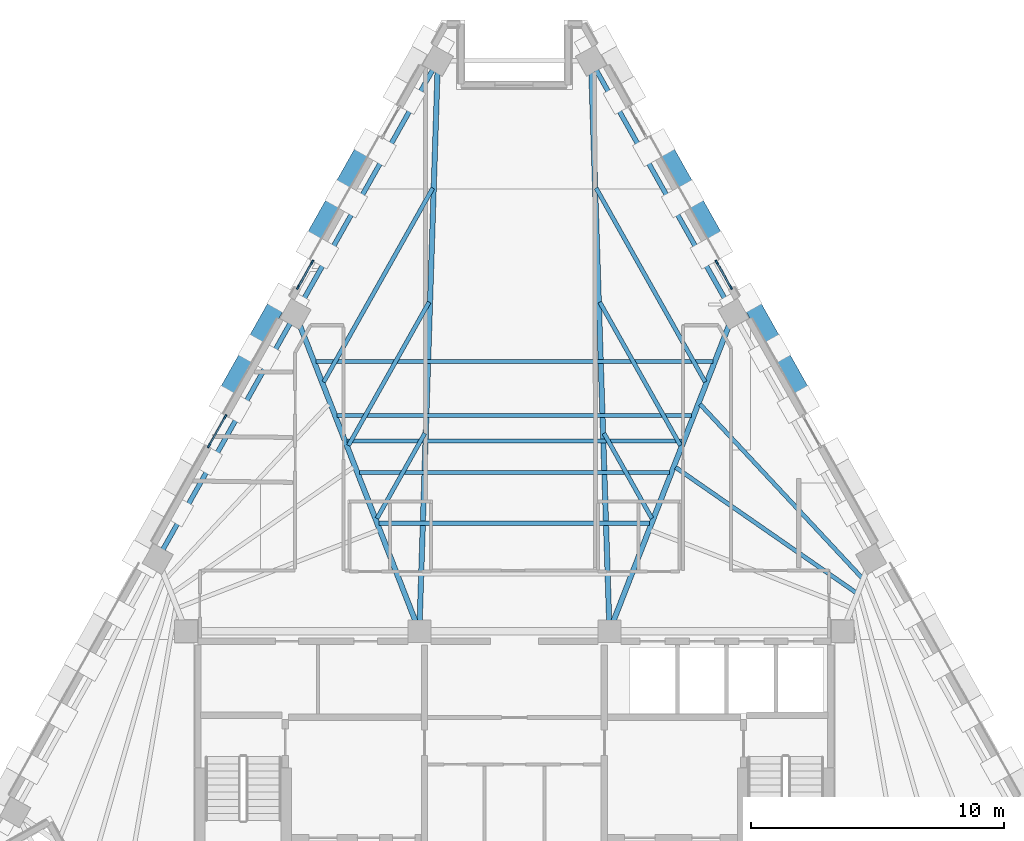
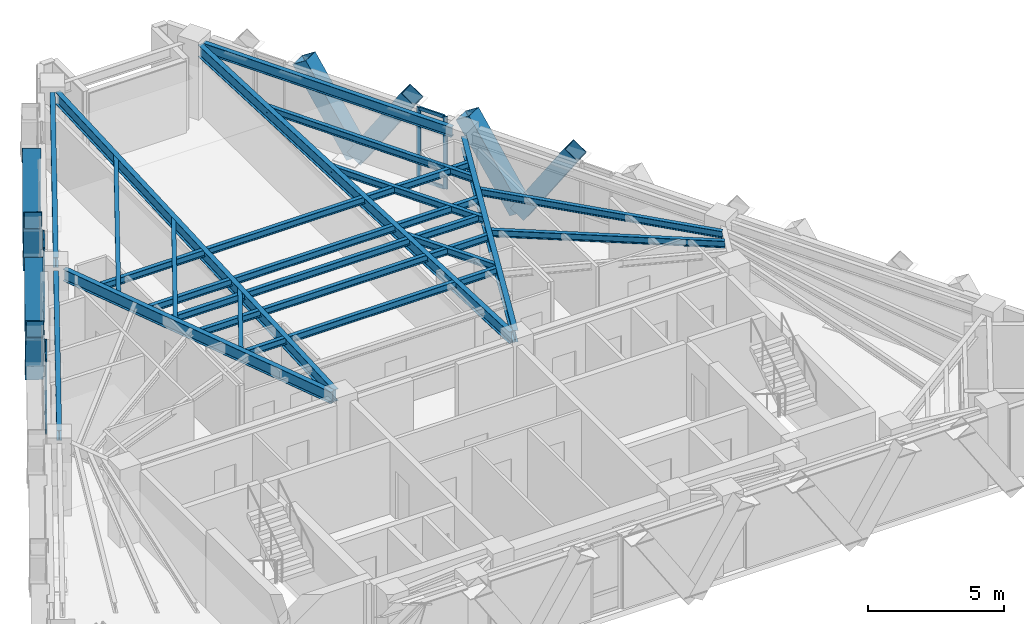
# One storey, part 3 of 12: 23 members, 20 beams, 3 elements without a shape of their own.
"""IFC4 building model written with IfcOpenShell, lengths in metres."""

from ifc_helpers import new_model, si_unit, direction, frame, origin, origin_2d, place, context, subcontext, project, spatial, rectangle, hollow_rectangle, i_section, extrude, material, material_profile, profile_set, type_object, element, aggregate, save


model = new_model("IFC4")

# Units and contexts
model_context = context("Model", 3, precision=1e-05, world=origin(), true_north=direction((0.0, 1.0)))
body_context = subcontext(model_context, "Body", "Model", "MODEL_VIEW")
ifc_project = project(units=[si_unit("LENGTHUNIT", "METRE"), si_unit("AREAUNIT", "SQUARE_METRE"), si_unit("VOLUMEUNIT", "CUBIC_METRE"), si_unit("PLANEANGLEUNIT", "RADIAN"), si_unit("MASSUNIT", "GRAM", prefix="KILO")], contexts=[model_context])

# Site, building, storey
site_placement = place(None, origin())
site = spatial("IfcSite", under=ifc_project, at=site_placement, CompositionType="ELEMENT")
building_placement = place(site_placement, origin())
building = spatial("IfcBuilding", under=site, at=building_placement, Name="Quenlor Broadcast Tower", CompositionType="ELEMENT")
storey_placement = place(building_placement, frame((0.0, 0.0, 200.89990234375)))
storey = spatial("IfcBuildingStorey", under=building, at=storey_placement, Name="L55", CompositionType="ELEMENT", Elevation=200.89990234375)

# Curtain wall, members
ifc_material_1 = material(Name="Architectural Terracotta and Low-E Glazing", Category="masonry")
curtain_wall_type = type_object("IfcCurtainWallType", Name="Unitised Terracotta Curtain Wall System Z4", PredefinedType="NOTDEFINED", material=ifc_material_1)
curtain_wall_1_placement = place(storey_placement, origin())
curtain_wall_1 = element("IfcCurtainWall", 1, at=curtain_wall_1_placement, inside=storey, type_object=curtain_wall_type, Name="L55 Curtain Wall CW4 (L55-NEA-G2)", PredefinedType="NOTDEFINED")
ifc_material_2 = material(Name="Aluminium 6063-T6", Category="aluminium")
ifc_material_profile_1 = material_profile(ifc_material_2, rectangle(XDim=0.068115234375, YDim=0.179931640625, at=origin_2d()))
ifc_profile_set_1 = profile_set([ifc_material_profile_1], Name="Aluminium 6063-T6 MULL68x180")
member_type_1 = type_object("IfcMemberType", Name="CW4 Aluminium Mullion MULL_CW4", PredefinedType="MULLION", material=ifc_profile_set_1)
member_1_placement = place(storey_placement, frame((7.979248046875, 9.755859375, 0.0), z_axis=(0.0, 0.0, 1.0), x_axis=(0.871557755022, 0.490292850918, 0.0)))
member_1 = element("IfcMember", 2, at=member_1_placement, type_object=member_type_1, Name="CW4 mullion 1", PredefinedType="MULLION", context=body_context, shape_type="SweptSolid", body=[
    extrude(rectangle(XDim=0.068115234375, YDim=0.179931640625, at=origin_2d()), origin(), (0.0, 0.0, 1.0), 3.25),
])
member_2_placement = place(storey_placement, frame((8.534912109375, 8.767822265625, 0.0), z_axis=(0.0, 0.0, 1.0), x_axis=(0.871557755022, 0.490292850918, 0.0)))
member_2 = element("IfcMember", 3, at=member_2_placement, type_object=member_type_1, Name="CW4 mullion 2", PredefinedType="MULLION", context=body_context, shape_type="SweptSolid", body=[
    extrude(rectangle(XDim=0.068115234375, YDim=0.179931640625, at=origin_2d()), origin(), (0.0, 0.0, 1.0), 3.25),
])

curtain_wall_2_placement = place(storey_placement, origin())
curtain_wall_2 = element("IfcCurtainWall", 4, at=curtain_wall_2_placement, inside=storey, type_object=curtain_wall_type, Name="L55 Curtain Wall CW4 (L55-NWC-G1)", PredefinedType="NOTDEFINED")
member_3_placement = place(storey_placement, frame((-8.534912109375, 8.767822265625, 0.0), z_axis=(0.0, 0.0, 1.0), x_axis=(-0.871557755022, 0.490292850918, 0.0)))
member_3 = element("IfcMember", 5, at=member_3_placement, type_object=member_type_1, Name="CW4 mullion 1", PredefinedType="MULLION", context=body_context, shape_type="SweptSolid", body=[
    extrude(rectangle(XDim=0.068115234375, YDim=0.179931640625, at=origin_2d()), origin(), (0.0, 0.0, 1.0), 3.25),
])
member_4_placement = place(storey_placement, frame((-7.979248046875, 9.755859375, 0.0), z_axis=(0.0, 0.0, 1.0), x_axis=(-0.871557755022, 0.490292850918, 0.0)))
member_4 = element("IfcMember", 6, at=member_4_placement, type_object=member_type_1, Name="CW4 mullion 2", PredefinedType="MULLION", context=body_context, shape_type="SweptSolid", body=[
    extrude(rectangle(XDim=0.068115234375, YDim=0.179931640625, at=origin_2d()), origin(), (0.0, 0.0, 1.0), 3.25),
])

curtain_wall_3_placement = place(storey_placement, origin())
curtain_wall_3 = element("IfcCurtainWall", 7, at=curtain_wall_3_placement, inside=storey, type_object=curtain_wall_type, Name="L55 Curtain Wall CW4 (L55-NW-G1)", PredefinedType="NOTDEFINED")
member_5_placement = place(storey_placement, frame((-12.049560546875, 2.519775390625, 0.0), z_axis=(0.0, 0.0, 1.0), x_axis=(-0.871560008943, 0.490288844266, 0.0)))
member_5 = element("IfcMember", 8, at=member_5_placement, type_object=member_type_1, Name="CW4 mullion 1", PredefinedType="MULLION", context=body_context, shape_type="SweptSolid", body=[
    extrude(rectangle(XDim=0.068115234375, YDim=0.179931640625, at=origin_2d()), origin(), (0.0, 0.0, 1.0), 3.25),
])
member_6_placement = place(storey_placement, frame((-11.408203125, 3.65966796875, 0.0), z_axis=(0.0, 0.0, 1.0), x_axis=(-0.871560008943, 0.490288844266, 0.0)))
member_6 = element("IfcMember", 9, at=member_6_placement, type_object=member_type_1, Name="CW4 mullion 2", PredefinedType="MULLION", context=body_context, shape_type="SweptSolid", body=[
    extrude(rectangle(XDim=0.068115234375, YDim=0.179931640625, at=origin_2d()), origin(), (0.0, 0.0, 1.0), 3.25),
])

# Member
ifc_material_3 = material(Name="Aluminium 6063-T6", Category="aluminium")
ifc_material_profile_2 = material_profile(ifc_material_3, rectangle(XDim=0.068115234375, YDim=0.14990234375, at=origin_2d()))
ifc_profile_set_2 = profile_set([ifc_material_profile_2], Name="Aluminium 6063-T6 TRAN68x150")
member_type_2 = type_object("IfcMemberType", Name="CW4 Aluminium Transom TRAN_CW4", PredefinedType="USERDEFINED", material=ifc_profile_set_2)
member_7_placement = place(storey_placement, frame((7.995849609375, 9.72607421875, 0.0341796875), z_axis=(0.490304750356, -0.871551060913, 0.0), x_axis=(0.871551060913, 0.490304750356, 0.0)))
member_7 = element("IfcMember", 10, at=member_7_placement, type_object=member_type_2, Name="CW4 transom 1.1", ObjectType="TRANSOM", PredefinedType="USERDEFINED", context=body_context, shape_type="SweptSolid", body=[
    extrude(rectangle(XDim=0.068115234375, YDim=0.14990234375, at=origin_2d()), origin(), (0.0, 0.0, 1.0), 1.065673828125),
])

member_8_placement = place(storey_placement, frame((7.995849609375, 9.72607421875, 0.9501953125), z_axis=(0.490304750356, -0.871551060913, 0.0), x_axis=(0.871551060913, 0.490304750356, 0.0)))
member_8 = element("IfcMember", 11, at=member_8_placement, type_object=member_type_2, Name="CW4 transom 1.2", ObjectType="TRANSOM", PredefinedType="USERDEFINED", context=body_context, shape_type="SweptSolid", body=[
    extrude(rectangle(XDim=0.068115234375, YDim=0.14990234375, at=origin_2d()), origin(), (0.0, 0.0, 1.0), 1.065673828125),
])

member_9_placement = place(storey_placement, frame((7.995849609375, 9.72607421875, 3.216064453125), z_axis=(0.490304750356, -0.871551060913, 0.0), x_axis=(0.871551060913, 0.490304750356, 0.0)))
member_9 = element("IfcMember", 12, at=member_9_placement, type_object=member_type_2, Name="CW4 transom 1.3", ObjectType="TRANSOM", PredefinedType="USERDEFINED", context=body_context, shape_type="SweptSolid", body=[
    extrude(rectangle(XDim=0.068115234375, YDim=0.14990234375, at=origin_2d()), origin(), (0.0, 0.0, 1.0), 1.065673828125),
])

aggregate(curtain_wall_1, [member_1, member_2, member_7, member_8, member_9])

member_10_placement = place(storey_placement, frame((-8.518310546875, 8.79736328125, 0.0341796875), z_axis=(0.490304750356, 0.871551060913, 0.0), x_axis=(-0.871551060913, 0.490304750356, 0.0)))
member_10 = element("IfcMember", 13, at=member_10_placement, type_object=member_type_2, Name="CW4 transom 1.1", ObjectType="TRANSOM", PredefinedType="USERDEFINED", context=body_context, shape_type="SweptSolid", body=[
    extrude(rectangle(XDim=0.068115234375, YDim=0.14990234375, at=origin_2d()), origin(), (0.0, 0.0, 1.0), 1.065673828125),
])

member_11_placement = place(storey_placement, frame((-8.518310546875, 8.79736328125, 0.9501953125), z_axis=(0.490304750356, 0.871551060913, 0.0), x_axis=(-0.871551060913, 0.490304750356, 0.0)))
member_11 = element("IfcMember", 14, at=member_11_placement, type_object=member_type_2, Name="CW4 transom 1.2", ObjectType="TRANSOM", PredefinedType="USERDEFINED", context=body_context, shape_type="SweptSolid", body=[
    extrude(rectangle(XDim=0.068115234375, YDim=0.14990234375, at=origin_2d()), origin(), (0.0, 0.0, 1.0), 1.065673828125),
])

member_12_placement = place(storey_placement, frame((-8.518310546875, 8.79736328125, 3.216064453125), z_axis=(0.490304750356, 0.871551060913, 0.0), x_axis=(-0.871551060913, 0.490304750356, 0.0)))
member_12 = element("IfcMember", 15, at=member_12_placement, type_object=member_type_2, Name="CW4 transom 1.3", ObjectType="TRANSOM", PredefinedType="USERDEFINED", context=body_context, shape_type="SweptSolid", body=[
    extrude(rectangle(XDim=0.068115234375, YDim=0.14990234375, at=origin_2d()), origin(), (0.0, 0.0, 1.0), 1.065673828125),
])

aggregate(curtain_wall_2, [member_3, member_4, member_10, member_11, member_12])

member_13_placement = place(storey_placement, frame((-12.032958984375, 2.54931640625, 0.0341796875), z_axis=(0.490233197009, 0.871591310506, 0.0), x_axis=(-0.871591310506, 0.490233197009, 0.0)))
member_13 = element("IfcMember", 16, at=member_13_placement, type_object=member_type_2, Name="CW4 transom 1.1", ObjectType="TRANSOM", PredefinedType="USERDEFINED", context=body_context, shape_type="SweptSolid", body=[
    extrude(rectangle(XDim=0.068115234375, YDim=0.14990234375, at=origin_2d()), origin(), (0.0, 0.0, 1.0), 1.239990234375),
])

member_14_placement = place(storey_placement, frame((-12.032958984375, 2.54931640625, 0.9501953125), z_axis=(0.490233197009, 0.871591310506, 0.0), x_axis=(-0.871591310506, 0.490233197009, 0.0)))
member_14 = element("IfcMember", 17, at=member_14_placement, type_object=member_type_2, Name="CW4 transom 1.2", ObjectType="TRANSOM", PredefinedType="USERDEFINED", context=body_context, shape_type="SweptSolid", body=[
    extrude(rectangle(XDim=0.068115234375, YDim=0.14990234375, at=origin_2d()), origin(), (0.0, 0.0, 1.0), 1.239990234375),
])

member_15_placement = place(storey_placement, frame((-12.032958984375, 2.54931640625, 3.216064453125), z_axis=(0.490233197009, 0.871591310506, 0.0), x_axis=(-0.871591310506, 0.490233197009, 0.0)))
member_15 = element("IfcMember", 18, at=member_15_placement, type_object=member_type_2, Name="CW4 transom 1.3", ObjectType="TRANSOM", PredefinedType="USERDEFINED", context=body_context, shape_type="SweptSolid", body=[
    extrude(rectangle(XDim=0.068115234375, YDim=0.14990234375, at=origin_2d()), origin(), (0.0, 0.0, 1.0), 1.239990234375),
])

aggregate(curtain_wall_3, [member_5, member_6, member_13, member_14, member_15])

# Members
ifc_material_4 = material(Name="Steel S355", Category="steel")
ifc_material_profile_3 = material_profile(ifc_material_4, hollow_rectangle(XDim=0.679931640625, YDim=0.679931640625, WallThickness=0.02490234375, at=origin_2d()))
ifc_profile_set_3 = profile_set([ifc_material_profile_3], Name="Steel S355 RHS680x680x25")
member_type_3 = type_object("IfcMemberType", Name="Perimeter Diagonal Lattice Brace Z3-Z4 Steel S355 RHS680x25", PredefinedType="BRACE", material=ifc_profile_set_3)
for number, where, z_axis, x_axis, name in (
    (19, (6.922607421875, 12.439697265625, -0.119873046875), (-0.269485495908, 0.479188912076, 0.835317636614), (-0.871620820774, -0.490180726664, 0.0), "L55 Perimeter Diamond Lattice NE-C1B"),
    (20, (6.936279296875, 12.415283203125, -0.119873046875), (0.269547055694, -0.479136497832, 0.835327840559), (0.871550060774, 0.49030652817, 0.0), "L55 Perimeter Diamond Lattice NE-C2S"),
):
    element("IfcMember", number, at=place(storey_placement, frame(where, z_axis=z_axis, x_axis=x_axis)), inside=storey, type_object=member_type_3, Name=name, PredefinedType="BRACE", context=body_context, shape_type="SweptSolid", body=[
        extrude(hollow_rectangle(XDim=0.679931640625, YDim=0.679931640625, WallThickness=0.02490234375, at=origin_2d()), origin(), (0.0, 0.0, 1.0), 4.18994140625),
    ])
member_16_placement = place(storey_placement, frame((10.351806640625, 6.343505859375, -0.119873046875), z_axis=(-0.269539530269, 0.479181387144, 0.835304519224), x_axis=(-0.871575537125, -0.490261239633, 0.0)))
element("IfcMember", 21, at=member_16_placement, inside=storey, type_object=member_type_3, Name="L55 Perimeter Diamond Lattice NE-C2B", PredefinedType="BRACE", context=body_context, shape_type="SweptSolid", body=[
    extrude(hollow_rectangle(XDim=0.679931640625, YDim=0.679931640625, WallThickness=0.02490234375, at=origin_2d()), origin(), (0.0, 0.0, 1.0), 4.190185546875),
])
for number, where, z_axis, x_axis, name in (
    (22, (10.365478515625, 6.319091796875, -0.119873046875), (0.269547055694, -0.479136497832, 0.835327840559), (0.871550060774, 0.49030652817, 0.0), "L55 Perimeter Diamond Lattice NE-C3S"),
    (23, (-10.365478515625, 6.319091796875, -0.119873046875), (-0.269547055694, -0.479136497832, 0.835327840559), (0.871550060774, -0.49030652817, 0.0), "L55 Perimeter Diamond Lattice NW-C3B"),
):
    element("IfcMember", number, at=place(storey_placement, frame(where, z_axis=z_axis, x_axis=x_axis)), inside=storey, type_object=member_type_3, Name=name, PredefinedType="BRACE", context=body_context, shape_type="SweptSolid", body=[
        extrude(hollow_rectangle(XDim=0.679931640625, YDim=0.679931640625, WallThickness=0.02490234375, at=origin_2d()), origin(), (0.0, 0.0, 1.0), 4.18994140625),
    ])
member_17_placement = place(storey_placement, frame((-10.351806640625, 6.343505859375, -0.119873046875), z_axis=(0.269539530269, 0.479181387144, 0.835304519224), x_axis=(-0.871575537125, 0.490261239633, 0.0)))
element("IfcMember", 24, at=member_17_placement, inside=storey, type_object=member_type_3, Name="L55 Perimeter Diamond Lattice NW-C4S", PredefinedType="BRACE", context=body_context, shape_type="SweptSolid", body=[
    extrude(hollow_rectangle(XDim=0.679931640625, YDim=0.679931640625, WallThickness=0.02490234375, at=origin_2d()), origin(), (0.0, 0.0, 1.0), 4.190185546875),
])
for number, where, z_axis, x_axis, name in (
    (25, (-6.936279296875, 12.415283203125, -0.119873046875), (-0.269547055694, -0.479136497832, 0.835327840559), (0.871550060774, -0.49030652817, 0.0), "L55 Perimeter Diamond Lattice NW-C4B"),
    (26, (-6.922607421875, 12.439697265625, -0.119873046875), (0.269485495908, 0.479188912076, 0.835317636614), (-0.871620820774, 0.490180726664, 0.0), "L55 Perimeter Diamond Lattice NW-C5S"),
):
    element("IfcMember", number, at=place(storey_placement, frame(where, z_axis=z_axis, x_axis=x_axis)), inside=storey, type_object=member_type_3, Name=name, PredefinedType="BRACE", context=body_context, shape_type="SweptSolid", body=[
        extrude(hollow_rectangle(XDim=0.679931640625, YDim=0.679931640625, WallThickness=0.02490234375, at=origin_2d()), origin(), (0.0, 0.0, 1.0), 4.18994140625),
    ])

# Beams
ifc_material_5 = material(Name="Steel S355", Category="steel")
ifc_material_profile_4 = material_profile(ifc_material_5, i_section(OverallWidth=0.18994140625, OverallDepth=0.453857421875, WebThickness=0.008544921875, FlangeThickness=0.0126953125, FilletRadius=0.011474609375, at=origin_2d()))
ifc_profile_set_4 = profile_set([ifc_material_profile_4], Name="Steel S355 460UB67.1")
beam_type_1 = type_object("IfcBeamType", Name="Perimeter Spandrel Beam Z4 Steel S355 460UB67.1", PredefinedType="SPANDREL", material=ifc_profile_set_4)
for number, where, z_axis, x_axis, name in (
    (27, (8.438720703125, 8.072265625, 3.023193359375), (-0.490281935429, 0.871563895415, 0.0), (-0.871563895415, -0.490281935429, 0.0), "L55 Spandrel Beam NE3-NE4"),
    (28, (-3.221435546875, 17.346923828125, 3.023193359375), (-0.490281935429, -0.871563895415, 0.0), (0.871563895415, -0.490281935429, 0.0), "L55 Spandrel Beam NW1-NW2"),
):
    element("IfcBeam", number, at=place(storey_placement, frame(where, z_axis=z_axis, x_axis=x_axis)), inside=storey, type_object=beam_type_1, Name=name, PredefinedType="SPANDREL", context=body_context, shape_type="SweptSolid", body=[
        extrude(i_section(OverallWidth=0.18994140625, OverallDepth=0.453857421875, WebThickness=0.008544921875, FlangeThickness=0.0126953125, FilletRadius=0.011474609375, at=origin_2d()), origin(), (0.0, 0.0, 1.0), 10.641357421875),
    ])
beam_1_placement = place(storey_placement, frame((-8.840576171875, 7.357666015625, 3.023193359375), z_axis=(-0.490263496537, -0.871574267612, 0.0), x_axis=(0.871574267612, -0.490263496537, 0.0)))
element("IfcBeam", 29, at=beam_1_placement, inside=storey, type_object=beam_type_1, Name="L55 Spandrel Beam NW2-NW3", PredefinedType="SPANDREL", context=body_context, shape_type="SweptSolid", body=[
    extrude(i_section(OverallWidth=0.18994140625, OverallDepth=0.453857421875, WebThickness=0.008544921875, FlangeThickness=0.0126953125, FilletRadius=0.011474609375, at=origin_2d()), origin(), (0.0, 0.0, 1.0), 10.271728515625),
])
ifc_material_6 = material(Name="Steel S355", Category="steel")
ifc_material_profile_5 = material_profile(ifc_material_6, i_section(OverallWidth=0.166015625, OverallDepth=0.30712890625, WebThickness=0.006591796875, FlangeThickness=0.01171875, FilletRadius=0.011474609375, at=origin_2d()))
ifc_profile_set_5 = profile_set([ifc_material_profile_5], Name="Steel S355 310UB46.2")
beam_type_2 = type_object("IfcBeamType", Name="Tower Composite Joist Z4-Z5 Steel S355 310UB46.2", PredefinedType="JOIST", material=ifc_profile_set_5)
beam_2_placement = place(storey_placement, frame((-6.603759765625, 2.708984375, 3.096435546875), z_axis=(1.0, 0.0, 0.0), x_axis=(0.0, 1.0, 0.0)))
element("IfcBeam", 30, at=beam_2_placement, inside=storey, type_object=beam_type_2, Name="L55 Secondary Composite Joist 2", PredefinedType="JOIST", context=body_context, shape_type="SweptSolid", body=[
    extrude(i_section(OverallWidth=0.166015625, OverallDepth=0.30712890625, WebThickness=0.006591796875, FlangeThickness=0.01171875, FilletRadius=0.011474609375, at=origin_2d()), origin(), (0.0, 0.0, 1.0), 13.20751953125),
])
beam_3_placement = place(storey_placement, frame((-5.33251953125, -0.544921875, 3.096435546875), z_axis=(1.0, 0.0, 0.0), x_axis=(0.0, 1.0, 0.0)))
element("IfcBeam", 31, at=beam_3_placement, inside=storey, type_object=beam_type_2, Name="L55 Secondary Composite Joist 3", PredefinedType="JOIST", context=body_context, shape_type="SweptSolid", body=[
    extrude(i_section(OverallWidth=0.166015625, OverallDepth=0.30712890625, WebThickness=0.006591796875, FlangeThickness=0.01171875, FilletRadius=0.011474609375, at=origin_2d()), origin(), (0.0, 0.0, 1.0), 10.6650390625),
])
beam_4_placement = place(storey_placement, frame((-6.11474609375, 1.45751953125, 3.096435546875), z_axis=(1.0, 0.0, 0.0), x_axis=(0.0, 1.0, 0.0)))
element("IfcBeam", 32, at=beam_4_placement, inside=storey, type_object=beam_type_2, Name="L55 Secondary Composite Joist 4", PredefinedType="JOIST", context=body_context, shape_type="SweptSolid", body=[
    extrude(i_section(OverallWidth=0.166015625, OverallDepth=0.30712890625, WebThickness=0.006591796875, FlangeThickness=0.01171875, FilletRadius=0.011474609375, at=origin_2d()), origin(), (0.0, 0.0, 1.0), 12.2294921875),
])
beam_5_placement = place(storey_placement, frame((-6.994873046875, 3.710205078125, 3.096435546875), z_axis=(1.0, 0.0, 0.0), x_axis=(0.0, 1.0, 0.0)))
element("IfcBeam", 33, at=beam_5_placement, inside=storey, type_object=beam_type_2, Name="L55 Secondary Composite Joist 5", PredefinedType="JOIST", context=body_context, shape_type="SweptSolid", body=[
    extrude(i_section(OverallWidth=0.166015625, OverallDepth=0.30712890625, WebThickness=0.006591796875, FlangeThickness=0.01171875, FilletRadius=0.011474609375, at=origin_2d()), origin(), (0.0, 0.0, 1.0), 13.98974609375),
])
beam_6_placement = place(storey_placement, frame((-7.826171875, 5.837646484375, 3.096435546875), z_axis=(1.0, 0.0, 0.0), x_axis=(0.0, 1.0, 0.0)))
element("IfcBeam", 34, at=beam_6_placement, inside=storey, type_object=beam_type_2, Name="L55 Secondary Composite Joist 6", PredefinedType="JOIST", context=body_context, shape_type="SweptSolid", body=[
    extrude(i_section(OverallWidth=0.166015625, OverallDepth=0.30712890625, WebThickness=0.006591796875, FlangeThickness=0.01171875, FilletRadius=0.011474609375, at=origin_2d()), origin(), (0.0, 0.0, 1.0), 15.65234375),
])
beam_7_placement = place(storey_placement, frame((13.470458984375, -3.273681640625, 3.096435546875), z_axis=(-0.821539857981, 0.570151086773, 0.0), x_axis=(-0.570151086773, -0.821539857981, 0.0)))
element("IfcBeam", 35, at=beam_7_placement, inside=storey, type_object=beam_type_2, Name="L55 Secondary Composite Joist 11", PredefinedType="JOIST", context=body_context, shape_type="SweptSolid", body=[
    extrude(i_section(OverallWidth=0.166015625, OverallDepth=0.30712890625, WebThickness=0.006591796875, FlangeThickness=0.01171875, FilletRadius=0.011474609375, at=origin_2d()), origin(), (0.0, 0.0, 1.0), 8.656982421875),
])
beam_8_placement = place(storey_placement, frame((13.707275390625, -2.691162109375, 3.096435546875), z_axis=(-0.682034672805, 0.731319837754, 0.0), x_axis=(-0.731319837754, -0.682034672805, 0.0)))
element("IfcBeam", 36, at=beam_8_placement, inside=storey, type_object=beam_type_2, Name="L55 Secondary Composite Joist 12", PredefinedType="JOIST", context=body_context, shape_type="SweptSolid", body=[
    extrude(i_section(OverallWidth=0.166015625, OverallDepth=0.30712890625, WebThickness=0.006591796875, FlangeThickness=0.01171875, FilletRadius=0.011474609375, at=origin_2d()), origin(), (0.0, 0.0, 1.0), 9.357421875),
])
beam_9_placement = place(storey_placement, frame((-3.533935546875, 3.0068359375, 3.096435546875), z_axis=(-0.490243182397, -0.871585694073, 0.0), x_axis=(0.871585694073, -0.490243182397, 0.0)))
element("IfcBeam", 37, at=beam_9_placement, inside=storey, type_object=beam_type_2, Name="L55 Secondary Composite Joist 25", PredefinedType="JOIST", context=body_context, shape_type="SweptSolid", body=[
    extrude(i_section(OverallWidth=0.166015625, OverallDepth=0.30712890625, WebThickness=0.006591796875, FlangeThickness=0.01171875, FilletRadius=0.011474609375, at=origin_2d()), origin(), (0.0, 0.0, 1.0), 3.8515625),
])
beam_10_placement = place(storey_placement, frame((-3.3662109375, 8.182861328125, 3.096435546875), z_axis=(-0.490230865807, -0.871592621705, 0.0), x_axis=(0.871592621705, -0.490230865807, 0.0)))
element("IfcBeam", 38, at=beam_10_placement, inside=storey, type_object=beam_type_2, Name="L55 Secondary Composite Joist 26", PredefinedType="JOIST", context=body_context, shape_type="SweptSolid", body=[
    extrude(i_section(OverallWidth=0.166015625, OverallDepth=0.30712890625, WebThickness=0.006591796875, FlangeThickness=0.01171875, FilletRadius=0.011474609375, at=origin_2d()), origin(), (0.0, 0.0, 1.0), 6.487548828125),
])
beam_11_placement = place(storey_placement, frame((-3.22021484375, 12.68359375, 3.096435546875), z_axis=(-0.490261239633, -0.871575537125, 0.0), x_axis=(0.871575537125, -0.490261239633, 0.0)))
element("IfcBeam", 39, at=beam_11_placement, inside=storey, type_object=beam_type_2, Name="L55 Secondary Composite Joist 27", PredefinedType="JOIST", context=body_context, shape_type="SweptSolid", body=[
    extrude(i_section(OverallWidth=0.166015625, OverallDepth=0.30712890625, WebThickness=0.006591796875, FlangeThickness=0.01171875, FilletRadius=0.011474609375, at=origin_2d()), origin(), (0.0, 0.0, 1.0), 8.77978515625),
])
beam_12_placement = place(storey_placement, frame((3.533935546875, 3.0068359375, 3.096435546875), z_axis=(0.490243182397, -0.871585694073, 0.0), x_axis=(0.871585694073, 0.490243182397, 0.0)))
element("IfcBeam", 40, at=beam_12_placement, inside=storey, type_object=beam_type_2, Name="L55 Secondary Composite Joist 28", PredefinedType="JOIST", context=body_context, shape_type="SweptSolid", body=[
    extrude(i_section(OverallWidth=0.166015625, OverallDepth=0.30712890625, WebThickness=0.006591796875, FlangeThickness=0.01171875, FilletRadius=0.011474609375, at=origin_2d()), origin(), (0.0, 0.0, 1.0), 3.8515625),
])
beam_13_placement = place(storey_placement, frame((3.3662109375, 8.182861328125, 3.096435546875), z_axis=(0.490230865807, -0.871592621705, 0.0), x_axis=(0.871592621705, 0.490230865807, 0.0)))
element("IfcBeam", 41, at=beam_13_placement, inside=storey, type_object=beam_type_2, Name="L55 Secondary Composite Joist 29", PredefinedType="JOIST", context=body_context, shape_type="SweptSolid", body=[
    extrude(i_section(OverallWidth=0.166015625, OverallDepth=0.30712890625, WebThickness=0.006591796875, FlangeThickness=0.01171875, FilletRadius=0.011474609375, at=origin_2d()), origin(), (0.0, 0.0, 1.0), 6.487548828125),
])
beam_14_placement = place(storey_placement, frame((3.22021484375, 12.68359375, 3.096435546875), z_axis=(0.490261239633, -0.871575537125, 0.0), x_axis=(0.871575537125, 0.490261239633, 0.0)))
element("IfcBeam", 42, at=beam_14_placement, inside=storey, type_object=beam_type_2, Name="L55 Secondary Composite Joist 30", PredefinedType="JOIST", context=body_context, shape_type="SweptSolid", body=[
    extrude(i_section(OverallWidth=0.166015625, OverallDepth=0.30712890625, WebThickness=0.006591796875, FlangeThickness=0.01171875, FilletRadius=0.011474609375, at=origin_2d()), origin(), (0.0, 0.0, 1.0), 8.77978515625),
])
ifc_material_7 = material(Name="Steel S355", Category="steel")
ifc_material_profile_6 = material_profile(ifc_material_7, i_section(OverallWidth=0.208984375, OverallDepth=0.5283203125, WebThickness=0.009521484375, FlangeThickness=0.01318359375, FilletRadius=0.013916015625, at=origin_2d()))
ifc_profile_set_6 = profile_set([ifc_material_profile_6], Name="Steel S355 530UB82.0")
beam_type_3 = type_object("IfcBeamType", Name="Tower Primary Floor Beam Z4 Steel S355 530UB82.0", PredefinedType="BEAM", material=ifc_profile_set_6)
beam_15_placement = place(storey_placement, frame((8.490478515625, 7.3330078125, 2.986083984375), z_axis=(-0.363926160921, -0.931427801495, 0.0), x_axis=(0.931427801495, -0.363926160921, 0.0)))
element("IfcBeam", 43, at=beam_15_placement, inside=storey, type_object=beam_type_3, Name="L55 Primary Radial Beam NE3", PredefinedType="BEAM", context=body_context, shape_type="SweptSolid", body=[
    extrude(i_section(OverallWidth=0.208984375, OverallDepth=0.5283203125, WebThickness=0.009521484375, FlangeThickness=0.01318359375, FilletRadius=0.013916015625, at=origin_2d()), origin(), (0.0, 0.0, 1.0), 12.646240234375),
])
for number, where, z_axis, x_axis, name in (
    (44, (3.03369140625, 17.29443359375, 2.986083984375), (0.032408228632, -0.999474715397, 0.0), (0.999474715397, 0.032408228632, 0.0), "L55 Primary Radial Beam NE4"),
    (45, (-3.03369140625, 17.29443359375, 2.986083984375), (-0.032408228632, -0.999474715397, 0.0), (0.999474715397, -0.032408228632, 0.0), "L55 Primary Radial Beam NW1"),
):
    element("IfcBeam", number, at=place(storey_placement, frame(where, z_axis=z_axis, x_axis=x_axis)), inside=storey, type_object=beam_type_3, Name=name, PredefinedType="BEAM", context=body_context, shape_type="SweptSolid", body=[
        extrude(i_section(OverallWidth=0.208984375, OverallDepth=0.5283203125, WebThickness=0.009521484375, FlangeThickness=0.01318359375, FilletRadius=0.013916015625, at=origin_2d()), origin(), (0.0, 0.0, 1.0), 21.72607421875),
    ])
beam_16_placement = place(storey_placement, frame((-8.490478515625, 7.3330078125, 2.986083984375), z_axis=(0.363926160921, -0.931427801495, 0.0), x_axis=(0.931427801495, 0.363926160921, 0.0)))
element("IfcBeam", 46, at=beam_16_placement, inside=storey, type_object=beam_type_3, Name="L55 Primary Radial Beam NW2", PredefinedType="BEAM", context=body_context, shape_type="SweptSolid", body=[
    extrude(i_section(OverallWidth=0.208984375, OverallDepth=0.5283203125, WebThickness=0.009521484375, FlangeThickness=0.01318359375, FilletRadius=0.013916015625, at=origin_2d()), origin(), (0.0, 0.0, 1.0), 12.646240234375),
])

save(model, "model.ifc")
